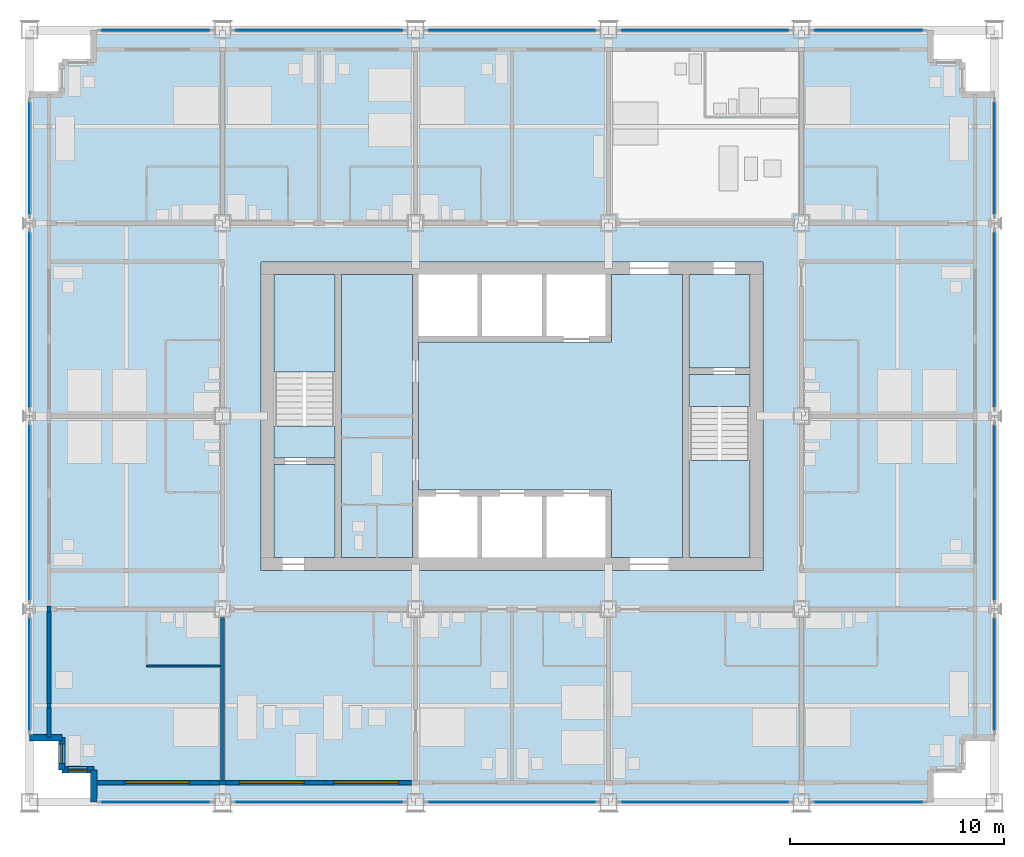
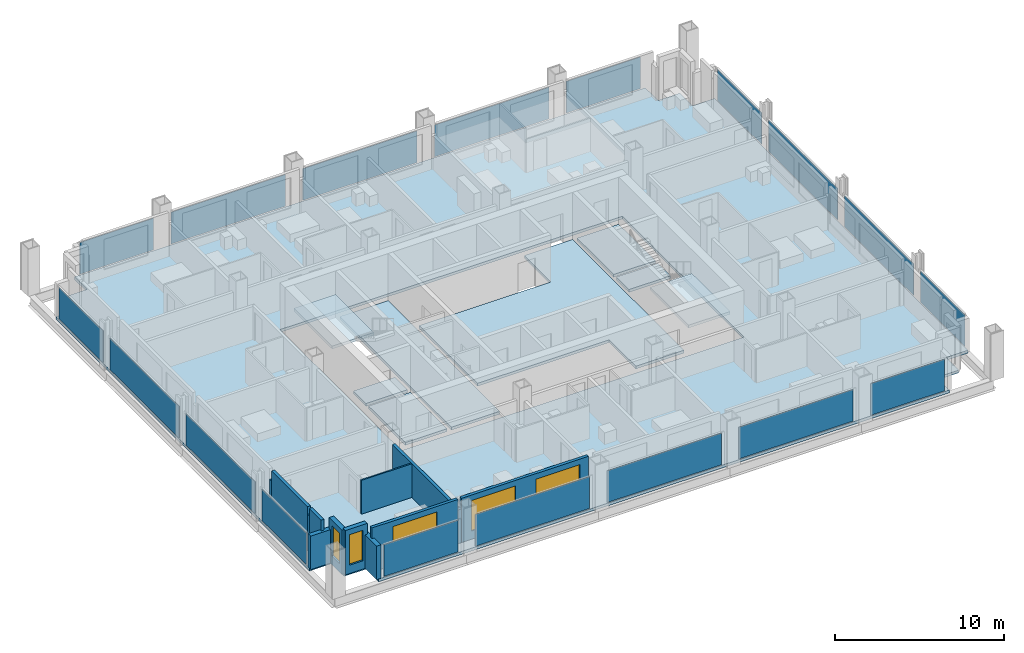
# One storey, part 8 of 16: 18 plates, 13 walls, 9 slabs, 5 windows, 5 openings, 20 elements without a shape of their own.
"""IFC4 building model written with IfcOpenShell, lengths in metres."""

from ifc_helpers import new_model, si_unit, direction, frame, frame_2d, origin, origin_2d, place, context, subcontext, project, spatial, polyline, rectangle, outline, extrude, material, layer, layer_set, type_object, element, fill, aggregate, save


model = new_model("IFC4")

# Units and contexts
model_context = context("Model", 3, precision=1e-05, world=origin(), true_north=direction((0.0, 1.0)))
body_context = subcontext(model_context, "Body", "Model", "MODEL_VIEW")
ifc_project = project(units=[si_unit("LENGTHUNIT", "METRE"), si_unit("AREAUNIT", "SQUARE_METRE"), si_unit("VOLUMEUNIT", "CUBIC_METRE"), si_unit("PLANEANGLEUNIT", "RADIAN"), si_unit("MASSUNIT", "GRAM", prefix="KILO")], contexts=[model_context])

# Site, building, storey
site_placement = place(None, origin())
site = spatial("IfcSite", under=ifc_project, at=site_placement, CompositionType="ELEMENT")
building_placement = place(site_placement, origin())
building = spatial("IfcBuilding", under=site, at=building_placement, Name="Loomwork Tower", CompositionType="ELEMENT")
storey_placement = place(building_placement, frame((0.0, 0.0, 135.0)))
storey = spatial("IfcBuildingStorey", under=building, at=storey_placement, Name="L36", CompositionType="ELEMENT", Elevation=135.0)

# Slabs
ifc_material_1 = material(Name="Concrete 5000 psi (34 MPa) on composite metal deck", Category="concrete")
ifc_layer_1 = layer(ifc_material_1, 0.199951171875)
ifc_layer_set_1 = layer_set([ifc_layer_1], Name="Floor slab 200")
slab_type_1 = type_object("IfcSlabType", Name="Floor slab 200", PredefinedType="FLOOR", material=ifc_layer_set_1)
slab_1_placement = place(storey_placement, frame((0.0, 0.0, -0.199951171875)))
element("IfcSlab", 1, at=slab_1_placement, inside=storey, type_object=slab_type_1, Name="Floor slab L36", PredefinedType="FLOOR", context=body_context, shape_type="SweptSolid", body=[
    extrude(outline(polyline([(3.0, 1.5), (1.5, 1.5), (1.5, 3.0), (0.0, 3.0), (0.0, 33.0), (1.5, 33.0), (1.5, 34.5), (3.0, 34.5), (3.0, 36.0), (42.0, 36.0), (42.0, 34.5), (43.5, 34.5), (43.5, 33.0), (45.0, 33.0), (45.0, 3.0), (43.5, 3.0), (43.5, 1.5), (42.0, 1.5), (42.0, 0.0), (3.0, 0.0), (3.0, 1.5)]), holes=[polyline([(10.800048828125, 11.39990234375), (10.800048828125, 11.39990234375), (10.800048828125, 10.800048828125), (34.199951171875, 10.800048828125), (34.199951171875, 11.39990234375), (34.199951171875, 11.39990234375), (34.199951171875, 24.60009765625), (34.199951171875, 25.199951171875), (10.800048828125, 25.199951171875), (10.800048828125, 24.60009765625), (10.800048828125, 11.39990234375)])]), origin(), (0.0, 0.0, 1.0), 0.199951171875),
])
slab_2_placement = place(storey_placement, frame((0.0, 0.0, -0.199951171875)))
element("IfcSlab", 2, at=slab_2_placement, inside=storey, type_object=slab_type_1, Name="Floor slab L36", PredefinedType="FLOOR", context=body_context, shape_type="SweptSolid", body=[
    extrude(outline(polyline([(30.449951171875, 24.60009765625), (30.449951171875, 11.39990234375), (27.14990234375, 11.39990234375), (27.14990234375, 14.25), (27.14990234375, 14.550048828125), (18.14990234375, 14.550048828125), (18.14990234375, 21.449951171875), (27.14990234375, 21.449951171875), (27.14990234375, 21.75), (27.14990234375, 24.60009765625), (30.449951171875, 24.60009765625)])), origin(), (0.0, 0.0, 1.0), 0.199951171875),
])
slab_3_placement = place(storey_placement, frame((0.0, 0.0, -0.199951171875)))
element("IfcSlab", 3, at=slab_3_placement, inside=storey, type_object=slab_type_1, Name="Floor slab L36", PredefinedType="FLOOR", context=body_context, shape_type="SweptSolid", body=[
    extrude(outline(polyline([(14.550048828125, 11.39990234375), (14.550048828125, 24.60009765625), (17.85009765625, 24.60009765625), (17.85009765625, 11.39990234375), (14.550048828125, 11.39990234375)])), origin(), (0.0, 0.0, 1.0), 0.199951171875),
])
slab_4_placement = place(storey_placement, frame((0.0, 0.0, -0.199951171875)))
element("IfcSlab", 4, at=slab_4_placement, inside=storey, type_object=slab_type_1, Name="Floor slab L36", PredefinedType="FLOOR", context=body_context, shape_type="SweptSolid", body=[
    extrude(outline(polyline([(33.60009765625, 20.25), (30.75, 20.25), (30.75, 24.60009765625), (33.60009765625, 24.60009765625), (33.60009765625, 20.25)])), origin(), (0.0, 0.0, 1.0), 0.199951171875),
])
slab_5_placement = place(storey_placement, frame((0.0, 0.0, -0.199951171875)))
element("IfcSlab", 5, at=slab_5_placement, inside=storey, type_object=slab_type_1, Name="Floor slab L36", PredefinedType="FLOOR", context=body_context, shape_type="SweptSolid", body=[
    extrude(outline(polyline([(14.25, 15.75), (14.25, 11.39990234375), (11.39990234375, 11.39990234375), (11.39990234375, 15.75), (14.25, 15.75)])), origin(), (0.0, 0.0, 1.0), 0.199951171875),
])

# Curtain wall, plate
ifc_material_2 = material(Name="Aluminium curtain wall frame", Category="aluminium")
curtain_wall_type = type_object("IfcCurtainWallType", Name="Outer skin glazing hotel", PredefinedType="NOTDEFINED", material=ifc_material_2)
curtain_wall_1_placement = place(storey_placement, origin())
curtain_wall_1 = element("IfcCurtainWall", 6, at=curtain_wall_1_placement, inside=storey, type_object=curtain_wall_type, Name="Outer skin glazing hotel cw/S-0", PredefinedType="NOTDEFINED")
ifc_material_3 = material(Name="Clear laminated glass", Category="glass")
ifc_layer_2 = layer(ifc_material_3, 0.02392578125)
ifc_layer_set_2 = layer_set([ifc_layer_2], Name="Outer skin glazing hotel panel")
plate_type = type_object("IfcPlateType", Name="Outer skin glazing hotel panel", PredefinedType="CURTAIN_PANEL", material=ifc_layer_set_2)
plate_1_placement = place(storey_placement, frame((5.875, 0.0, 0.06494140625), z_axis=(0.0, 0.0, 1.0), x_axis=(1.0, 0.0, 0.0)))
plate_1 = element("IfcPlate", 7, at=plate_1_placement, type_object=plate_type, Name="CW1 panel 1.1", PredefinedType="CURTAIN_PANEL", context=body_context, shape_type="SweptSolid", body=[
    extrude(rectangle(XDim=5.050048828125, YDim=0.02392578125, at=origin_2d()), origin(), (0.0, 0.0, 1.0), 2.290283203125),
])
aggregate(curtain_wall_1, [plate_1])

curtain_wall_2_placement = place(storey_placement, origin())
curtain_wall_2 = element("IfcCurtainWall", 8, at=curtain_wall_2_placement, inside=storey, type_object=curtain_wall_type, Name="Outer skin glazing hotel cw/S-9", PredefinedType="NOTDEFINED")
plate_2_placement = place(storey_placement, frame((13.5, 0.0, 0.06494140625), z_axis=(0.0, 0.0, 1.0), x_axis=(1.0, 0.0, 0.0)))
plate_2 = element("IfcPlate", 9, at=plate_2_placement, type_object=plate_type, Name="CW1 panel 1.1", PredefinedType="CURTAIN_PANEL", context=body_context, shape_type="SweptSolid", body=[
    extrude(rectangle(XDim=7.800048828125, YDim=0.02392578125, at=origin_2d()), origin(), (0.0, 0.0, 1.0), 2.290283203125),
])
aggregate(curtain_wall_2, [plate_2])

curtain_wall_3_placement = place(storey_placement, origin())
curtain_wall_3 = element("IfcCurtainWall", 10, at=curtain_wall_3_placement, inside=storey, type_object=curtain_wall_type, Name="Outer skin glazing hotel cw/S-18", PredefinedType="NOTDEFINED")
plate_3_placement = place(storey_placement, frame((22.5, 0.0, 0.06494140625), z_axis=(0.0, 0.0, 1.0), x_axis=(1.0, 0.0, 0.0)))
plate_3 = element("IfcPlate", 11, at=plate_3_placement, type_object=plate_type, Name="CW1 panel 1.1", PredefinedType="CURTAIN_PANEL", context=body_context, shape_type="SweptSolid", body=[
    extrude(rectangle(XDim=7.800048828125, YDim=0.02392578125, at=origin_2d()), origin(), (0.0, 0.0, 1.0), 2.290283203125),
])
aggregate(curtain_wall_3, [plate_3])

curtain_wall_4_placement = place(storey_placement, origin())
curtain_wall_4 = element("IfcCurtainWall", 12, at=curtain_wall_4_placement, inside=storey, type_object=curtain_wall_type, Name="Outer skin glazing hotel cw/S-27", PredefinedType="NOTDEFINED")
plate_4_placement = place(storey_placement, frame((31.5, 0.0, 0.06494140625), z_axis=(0.0, 0.0, 1.0), x_axis=(1.0, 0.0, 0.0)))
plate_4 = element("IfcPlate", 13, at=plate_4_placement, type_object=plate_type, Name="CW1 panel 1.1", PredefinedType="CURTAIN_PANEL", context=body_context, shape_type="SweptSolid", body=[
    extrude(rectangle(XDim=7.800048828125, YDim=0.02392578125, at=origin_2d()), origin(), (0.0, 0.0, 1.0), 2.290283203125),
])
aggregate(curtain_wall_4, [plate_4])

curtain_wall_5_placement = place(storey_placement, origin())
curtain_wall_5 = element("IfcCurtainWall", 14, at=curtain_wall_5_placement, inside=storey, type_object=curtain_wall_type, Name="Outer skin glazing hotel cw/S-36", PredefinedType="NOTDEFINED")
plate_5_placement = place(storey_placement, frame((39.125, 0.0, 0.06494140625), z_axis=(0.0, 0.0, 1.0), x_axis=(1.0, 0.0, 0.0)))
plate_5 = element("IfcPlate", 15, at=plate_5_placement, type_object=plate_type, Name="CW1 panel 1.1", PredefinedType="CURTAIN_PANEL", context=body_context, shape_type="SweptSolid", body=[
    extrude(rectangle(XDim=5.050048828125, YDim=0.02392578125, at=origin_2d()), origin(), (0.0, 0.0, 1.0), 2.290283203125),
])
aggregate(curtain_wall_5, [plate_5])

curtain_wall_6_placement = place(storey_placement, origin())
curtain_wall_6 = element("IfcCurtainWall", 16, at=curtain_wall_6_placement, inside=storey, type_object=curtain_wall_type, Name="Outer skin glazing hotel cw/N-0", PredefinedType="NOTDEFINED")
plate_6_placement = place(storey_placement, frame((5.875, 36.0, 0.06494140625), z_axis=(0.0, 0.0, 1.0), x_axis=(-1.0, 0.0, 0.0)))
plate_6 = element("IfcPlate", 17, at=plate_6_placement, type_object=plate_type, Name="CW1 panel 1.1", PredefinedType="CURTAIN_PANEL", context=body_context, shape_type="SweptSolid", body=[
    extrude(rectangle(XDim=5.050048828125, YDim=0.02392578125, at=origin_2d()), origin(), (0.0, 0.0, 1.0), 2.290283203125),
])
aggregate(curtain_wall_6, [plate_6])

curtain_wall_7_placement = place(storey_placement, origin())
curtain_wall_7 = element("IfcCurtainWall", 18, at=curtain_wall_7_placement, inside=storey, type_object=curtain_wall_type, Name="Outer skin glazing hotel cw/N-9", PredefinedType="NOTDEFINED")
plate_7_placement = place(storey_placement, frame((13.5, 36.0, 0.06494140625), z_axis=(0.0, 0.0, 1.0), x_axis=(-1.0, 0.0, 0.0)))
plate_7 = element("IfcPlate", 19, at=plate_7_placement, type_object=plate_type, Name="CW1 panel 1.1", PredefinedType="CURTAIN_PANEL", context=body_context, shape_type="SweptSolid", body=[
    extrude(rectangle(XDim=7.800048828125, YDim=0.02392578125, at=origin_2d()), origin(), (0.0, 0.0, 1.0), 2.290283203125),
])
aggregate(curtain_wall_7, [plate_7])

curtain_wall_8_placement = place(storey_placement, origin())
curtain_wall_8 = element("IfcCurtainWall", 20, at=curtain_wall_8_placement, inside=storey, type_object=curtain_wall_type, Name="Outer skin glazing hotel cw/N-18", PredefinedType="NOTDEFINED")
plate_8_placement = place(storey_placement, frame((22.5, 36.0, 0.06494140625), z_axis=(0.0, 0.0, 1.0), x_axis=(-1.0, 0.0, 0.0)))
plate_8 = element("IfcPlate", 21, at=plate_8_placement, type_object=plate_type, Name="CW1 panel 1.1", PredefinedType="CURTAIN_PANEL", context=body_context, shape_type="SweptSolid", body=[
    extrude(rectangle(XDim=7.800048828125, YDim=0.02392578125, at=origin_2d()), origin(), (0.0, 0.0, 1.0), 2.290283203125),
])
aggregate(curtain_wall_8, [plate_8])

curtain_wall_9_placement = place(storey_placement, origin())
curtain_wall_9 = element("IfcCurtainWall", 22, at=curtain_wall_9_placement, inside=storey, type_object=curtain_wall_type, Name="Outer skin glazing hotel cw/N-27", PredefinedType="NOTDEFINED")
plate_9_placement = place(storey_placement, frame((31.5, 36.0, 0.06494140625), z_axis=(0.0, 0.0, 1.0), x_axis=(-1.0, 0.0, 0.0)))
plate_9 = element("IfcPlate", 23, at=plate_9_placement, type_object=plate_type, Name="CW1 panel 1.1", PredefinedType="CURTAIN_PANEL", context=body_context, shape_type="SweptSolid", body=[
    extrude(rectangle(XDim=7.800048828125, YDim=0.02392578125, at=origin_2d()), origin(), (0.0, 0.0, 1.0), 2.290283203125),
])
aggregate(curtain_wall_9, [plate_9])

curtain_wall_10_placement = place(storey_placement, origin())
curtain_wall_10 = element("IfcCurtainWall", 24, at=curtain_wall_10_placement, inside=storey, type_object=curtain_wall_type, Name="Outer skin glazing hotel cw/N-36", PredefinedType="NOTDEFINED")
plate_10_placement = place(storey_placement, frame((39.125, 36.0, 0.06494140625), z_axis=(0.0, 0.0, 1.0), x_axis=(-1.0, 0.0, 0.0)))
plate_10 = element("IfcPlate", 25, at=plate_10_placement, type_object=plate_type, Name="CW1 panel 1.1", PredefinedType="CURTAIN_PANEL", context=body_context, shape_type="SweptSolid", body=[
    extrude(rectangle(XDim=5.050048828125, YDim=0.02392578125, at=origin_2d()), origin(), (0.0, 0.0, 1.0), 2.290283203125),
])
aggregate(curtain_wall_10, [plate_10])

curtain_wall_11_placement = place(storey_placement, origin())
curtain_wall_11 = element("IfcCurtainWall", 26, at=curtain_wall_11_placement, inside=storey, type_object=curtain_wall_type, Name="Outer skin glazing hotel cw/W-0", PredefinedType="NOTDEFINED")
plate_11_placement = place(storey_placement, frame((0.0, 5.964599609375, 0.06494140625), z_axis=(0.0, 0.0, 1.0), x_axis=(0.0, -1.0, 0.0)))
plate_11 = element("IfcPlate", 27, at=plate_11_placement, type_object=plate_type, Name="CW1 panel 1.1", PredefinedType="CURTAIN_PANEL", context=body_context, shape_type="SweptSolid", body=[
    extrude(rectangle(XDim=5.22900390625, YDim=0.02392578125, at=origin_2d()), origin(), (0.0, 0.0, 1.0), 2.290283203125),
])
aggregate(curtain_wall_11, [plate_11])

curtain_wall_12_placement = place(storey_placement, origin())
curtain_wall_12 = element("IfcCurtainWall", 28, at=curtain_wall_12_placement, inside=storey, type_object=curtain_wall_type, Name="Outer skin glazing hotel cw/W-9", PredefinedType="NOTDEFINED")
plate_12_placement = place(storey_placement, frame((0.0, 13.5, 0.06494140625), z_axis=(0.0, 0.0, 1.0), x_axis=(0.0, -1.0, 0.0)))
plate_12 = element("IfcPlate", 29, at=plate_12_placement, type_object=plate_type, Name="CW1 panel 1.1", PredefinedType="CURTAIN_PANEL", context=body_context, shape_type="SweptSolid", body=[
    extrude(rectangle(XDim=8.157958984375, YDim=0.02392578125, at=origin_2d()), origin(), (0.0, 0.0, 1.0), 2.290283203125),
])
aggregate(curtain_wall_12, [plate_12])

curtain_wall_13_placement = place(storey_placement, origin())
curtain_wall_13 = element("IfcCurtainWall", 30, at=curtain_wall_13_placement, inside=storey, type_object=curtain_wall_type, Name="Outer skin glazing hotel cw/W-18", PredefinedType="NOTDEFINED")
plate_13_placement = place(storey_placement, frame((0.0, 22.5, 0.06494140625), z_axis=(0.0, 0.0, 1.0), x_axis=(0.0, -1.0, 0.0)))
plate_13 = element("IfcPlate", 31, at=plate_13_placement, type_object=plate_type, Name="CW1 panel 1.1", PredefinedType="CURTAIN_PANEL", context=body_context, shape_type="SweptSolid", body=[
    extrude(rectangle(XDim=8.157958984375, YDim=0.02392578125, at=origin_2d()), origin(), (0.0, 0.0, 1.0), 2.290283203125),
])
aggregate(curtain_wall_13, [plate_13])

curtain_wall_14_placement = place(storey_placement, origin())
curtain_wall_14 = element("IfcCurtainWall", 32, at=curtain_wall_14_placement, inside=storey, type_object=curtain_wall_type, Name="Outer skin glazing hotel cw/W-27", PredefinedType="NOTDEFINED")
plate_14_placement = place(storey_placement, frame((0.0, 30.035400390625, 0.06494140625), z_axis=(0.0, 0.0, 1.0), x_axis=(0.0, -1.0, 0.0)))
plate_14 = element("IfcPlate", 33, at=plate_14_placement, type_object=plate_type, Name="CW1 panel 1.1", PredefinedType="CURTAIN_PANEL", context=body_context, shape_type="SweptSolid", body=[
    extrude(rectangle(XDim=5.22900390625, YDim=0.02392578125, at=origin_2d()), origin(), (0.0, 0.0, 1.0), 2.290283203125),
])
aggregate(curtain_wall_14, [plate_14])

curtain_wall_15_placement = place(storey_placement, origin())
curtain_wall_15 = element("IfcCurtainWall", 34, at=curtain_wall_15_placement, inside=storey, type_object=curtain_wall_type, Name="Outer skin glazing hotel cw/E-0", PredefinedType="NOTDEFINED")
plate_15_placement = place(storey_placement, frame((45.0, 5.964599609375, 0.06494140625), z_axis=(0.0, 0.0, 1.0), x_axis=(0.0, 1.0, 0.0)))
plate_15 = element("IfcPlate", 35, at=plate_15_placement, type_object=plate_type, Name="CW1 panel 1.1", PredefinedType="CURTAIN_PANEL", context=body_context, shape_type="SweptSolid", body=[
    extrude(rectangle(XDim=5.22900390625, YDim=0.02392578125, at=origin_2d()), origin(), (0.0, 0.0, 1.0), 2.290283203125),
])
aggregate(curtain_wall_15, [plate_15])

curtain_wall_16_placement = place(storey_placement, origin())
curtain_wall_16 = element("IfcCurtainWall", 36, at=curtain_wall_16_placement, inside=storey, type_object=curtain_wall_type, Name="Outer skin glazing hotel cw/E-9", PredefinedType="NOTDEFINED")
plate_16_placement = place(storey_placement, frame((45.0, 13.5, 0.06494140625), z_axis=(0.0, 0.0, 1.0), x_axis=(0.0, 1.0, 0.0)))
plate_16 = element("IfcPlate", 37, at=plate_16_placement, type_object=plate_type, Name="CW1 panel 1.1", PredefinedType="CURTAIN_PANEL", context=body_context, shape_type="SweptSolid", body=[
    extrude(rectangle(XDim=8.157958984375, YDim=0.02392578125, at=origin_2d()), origin(), (0.0, 0.0, 1.0), 2.290283203125),
])
aggregate(curtain_wall_16, [plate_16])

curtain_wall_17_placement = place(storey_placement, origin())
curtain_wall_17 = element("IfcCurtainWall", 38, at=curtain_wall_17_placement, inside=storey, type_object=curtain_wall_type, Name="Outer skin glazing hotel cw/E-18", PredefinedType="NOTDEFINED")
plate_17_placement = place(storey_placement, frame((45.0, 22.5, 0.06494140625), z_axis=(0.0, 0.0, 1.0), x_axis=(0.0, 1.0, 0.0)))
plate_17 = element("IfcPlate", 39, at=plate_17_placement, type_object=plate_type, Name="CW1 panel 1.1", PredefinedType="CURTAIN_PANEL", context=body_context, shape_type="SweptSolid", body=[
    extrude(rectangle(XDim=8.157958984375, YDim=0.02392578125, at=origin_2d()), origin(), (0.0, 0.0, 1.0), 2.290283203125),
])
aggregate(curtain_wall_17, [plate_17])

curtain_wall_18_placement = place(storey_placement, origin())
curtain_wall_18 = element("IfcCurtainWall", 40, at=curtain_wall_18_placement, inside=storey, type_object=curtain_wall_type, Name="Outer skin glazing hotel cw/E-27", PredefinedType="NOTDEFINED")
plate_18_placement = place(storey_placement, frame((45.0, 30.035400390625, 0.06494140625), z_axis=(0.0, 0.0, 1.0), x_axis=(0.0, 1.0, 0.0)))
plate_18 = element("IfcPlate", 41, at=plate_18_placement, type_object=plate_type, Name="CW1 panel 1.1", PredefinedType="CURTAIN_PANEL", context=body_context, shape_type="SweptSolid", body=[
    extrude(rectangle(XDim=5.22900390625, YDim=0.02392578125, at=origin_2d()), origin(), (0.0, 0.0, 1.0), 2.290283203125),
])
aggregate(curtain_wall_18, [plate_18])

# Stair, slabs
ifc_material_4 = material(Name="Concrete 5000 psi (34 MPa) precast stair", Category="concrete")
stair_type_1 = type_object("IfcStairType", Name="Stair ST-A 20 risers 2850 wide", PredefinedType="HALF_TURN_STAIR", material=ifc_material_4)
stair_1_placement = place(storey_placement, origin())
stair_1 = element("IfcStair", 42, at=stair_1_placement, inside=storey, type_object=stair_type_1, Name="Stair A L36", PredefinedType="HALF_TURN_STAIR")
ifc_material_5 = material(Name="Concrete 5000 psi (34 MPa)", Category="concrete")
ifc_layer_3 = layer(ifc_material_5, 0.199951171875)
ifc_layer_set_3 = layer_set([ifc_layer_3], Name="Stair landing 200")
slab_type_2 = type_object("IfcSlabType", Name="Stair landing 200", PredefinedType="LANDING", material=ifc_layer_set_3)
slab_6_placement = place(storey_placement, frame((0.0, 0.0, -0.199951171875)))
slab_6 = element("IfcSlab", 43, at=slab_6_placement, type_object=slab_type_2, Name="ST-A landing 1", PredefinedType="LANDING", context=body_context, shape_type="SweptSolid", body=[
    extrude(outline(polyline([(11.39990234375, 16.050048828125), (14.25, 16.050048828125), (14.25, 17.550048828125), (11.39990234375, 17.550048828125), (11.39990234375, 16.050048828125)])), origin(), (0.0, 0.0, 1.0), 0.199951171875),
])
slab_7_placement = place(storey_placement, frame((0.0, 0.0, 1.5)))
slab_7 = element("IfcSlab", 44, at=slab_7_placement, type_object=slab_type_2, Name="ST-A landing 2", PredefinedType="LANDING", context=body_context, shape_type="SweptSolid", body=[
    extrude(outline(polyline([(11.39990234375, 20.070068359375), (14.25, 20.070068359375), (14.25, 24.60009765625), (11.39990234375, 24.60009765625), (11.39990234375, 20.070068359375)])), origin(), (0.0, 0.0, 1.0), 0.199951171875),
])
aggregate(stair_1, [slab_6, slab_7])

ifc_material_6 = material(Name="Concrete 5000 psi (34 MPa) precast stair", Category="concrete")
stair_type_2 = type_object("IfcStairType", Name="Stair ST-B 20 risers 2850 wide", PredefinedType="HALF_TURN_STAIR", material=ifc_material_6)
stair_2_placement = place(storey_placement, origin())
stair_2 = element("IfcStair", 45, at=stair_2_placement, inside=storey, type_object=stair_type_2, Name="Stair B L36", PredefinedType="HALF_TURN_STAIR")
slab_8_placement = place(storey_placement, frame((0.0, 0.0, -0.199951171875)))
slab_8 = element("IfcSlab", 46, at=slab_8_placement, type_object=slab_type_2, Name="ST-B landing 1", PredefinedType="LANDING", context=body_context, shape_type="SweptSolid", body=[
    extrude(outline(polyline([(30.75, 18.449951171875), (33.60009765625, 18.449951171875), (33.60009765625, 19.949951171875), (30.75, 19.949951171875), (30.75, 18.449951171875)])), origin(), (0.0, 0.0, 1.0), 0.199951171875),
])
slab_9_placement = place(storey_placement, frame((0.0, 0.0, 1.5)))
slab_9 = element("IfcSlab", 47, at=slab_9_placement, type_object=slab_type_2, Name="ST-B landing 2", PredefinedType="LANDING", context=body_context, shape_type="SweptSolid", body=[
    extrude(outline(polyline([(30.75, 11.39990234375), (33.60009765625, 11.39990234375), (33.60009765625, 15.929931640625), (30.75, 15.929931640625), (30.75, 11.39990234375)])), origin(), (0.0, 0.0, 1.0), 0.199951171875),
])
aggregate(stair_2, [slab_8, slab_9])

# Walls
ifc_material_7 = material(Name="Cement board on steel studs", Category="steel")
ifc_layer_4 = layer(ifc_material_7, 0.10009765625)
ifc_layer_set_4 = layer_set([ifc_layer_4], Name="En-suite partition 100")
wall_type_1 = type_object("IfcWallType", Name="En-suite partition 100", PredefinedType="PARTITIONING", material=ifc_layer_set_4)
wall_1_placement = place(storey_placement, frame((5.449951171875, 6.35009765625, 0.0), z_axis=(0.0, 0.0, 1.0), x_axis=(1.0, 0.0, 0.0)))
element("IfcWall", 48, at=wall_1_placement, inside=storey, type_object=wall_type_1, Name="En-suite wall L36 room 1", PredefinedType="PARTITIONING", context=body_context, shape_type="SweptSolid", body=[
    extrude(rectangle(XDim=3.449951171875, YDim=0.10009765625, at=frame_2d((1.72509765625, 0.0))), origin(), (0.0, 0.0, 1.0), 2.43798828125),
])
ifc_material_8 = material(Name="Gypsum board on steel studs, acoustic", Category="steel")
ifc_layer_5 = layer(ifc_material_8, 0.199951171875)
ifc_layer_set_5 = layer_set([ifc_layer_5], Name="Guest room party wall 200")
wall_type_2 = type_object("IfcWallType", Name="Guest room party wall 200", PredefinedType="PARTITIONING", material=ifc_layer_set_5)
wall_2_placement = place(storey_placement, frame((9.0, 8.60009765625, 0.0), z_axis=(0.0, 0.0, 1.0), x_axis=(0.0, -1.0, 0.0)))
element("IfcWall", 49, at=wall_2_placement, inside=storey, type_object=wall_type_2, Name="Guest room party wall S 9", PredefinedType="PARTITIONING", context=body_context, shape_type="SweptSolid", body=[
    extrude(rectangle(XDim=7.60009765625, YDim=0.199951171875, at=frame_2d((3.800048828125, 0.0))), origin(), (0.0, 0.0, 1.0), 2.43798828125),
])

# Wall, opening, window
ifc_material_9 = material(Name="Insulated steel stud wall with gypsum lining", Category="steel")
ifc_layer_6 = layer(ifc_material_9, 0.199951171875)
ifc_layer_set_6 = layer_set([ifc_layer_6], Name="Inner skin wall 200")
wall_type_3 = type_object("IfcWallType", Name="Inner skin wall 200", PredefinedType="SOLIDWALL", material=ifc_layer_set_6)
wall_3_placement = place(storey_placement, frame((3.0, 0.89990234375, 0.0), z_axis=(0.0, 0.0, 1.0), x_axis=(1.0, 0.0, 0.0)))
wall_3 = element("IfcWall", 50, at=wall_3_placement, inside=storey, type_object=wall_type_3, Name="Inner skin wall S", PredefinedType="SOLIDWALL", context=body_context, shape_type="SweptSolid", body=[
    extrude(rectangle(XDim=5.86474609375, YDim=0.199951171875, at=frame_2d((2.932373046875, 0.0))), origin(), (0.0, 0.0, 1.0), 3.199951171875),
])
opening_1_placement = place(wall_3_placement, frame((1.449951171875, 0.0, 0.60009765625)))
opening_1 = element("IfcOpeningElement", 51, at=opening_1_placement, cuts=wall_3, Name="Opening CH1", PredefinedType="OPENING", context=body_context, shape_type="SweptSolid", body=[
    extrude(rectangle(XDim=3.0, YDim=2.199951171875, at=frame_2d((1.5, 1.10009765625))), frame((0.0, 0.10986328125, 0.0), z_axis=(0.0, -1.0, 0.0), x_axis=(1.0, 0.0, 0.0)), (0.0, 0.0, 1.0), 0.219970703125),
])
ifc_material_10 = material(Name="Aluminium frame with clear insulated glass", Category="aluminium")
window_type_1 = type_object("IfcWindowType", Name="Chicago window 3000", PartitioningType="TRIPLE_PANEL_VERTICAL", PredefinedType="WINDOW", material=ifc_material_10)
window_1_placement = place(opening_1_placement, origin())
window_1 = element("IfcWindow", 52, at=window_1_placement, inside=storey, type_object=window_type_1, Name="Chicago window L36 bay 1", OverallHeight=2.199951171875, OverallWidth=3.0, PartitioningType="TRIPLE_PANEL_VERTICAL", PredefinedType="WINDOW", context=body_context, shape_type="SweptSolid", body=[
    extrude(rectangle(XDim=3.0, YDim=2.199951171875, at=frame_2d((1.5, 1.10009765625))), frame((0.0, 0.030029296875, 0.0), z_axis=(0.0, -1.0, 0.0), x_axis=(1.0, 0.0, 0.0)), (0.0, 0.0, 1.0), 0.06005859375),
])
fill(opening_1, window_1)

# Walls
wall_4_placement = place(storey_placement, frame((0.89990234375, 3.0, 0.0), z_axis=(0.0, 0.0, 1.0), x_axis=(0.0, 1.0, 0.0)))
element("IfcWall", 53, at=wall_4_placement, inside=storey, type_object=wall_type_3, Name="Inner skin wall W", PredefinedType="SOLIDWALL", context=body_context, shape_type="SweptSolid", body=[
    extrude(rectangle(XDim=1.392578125, YDim=0.199951171875, at=frame_2d((0.6962890625, 0.0))), origin(), (0.0, 0.0, 1.0), 3.199951171875),
])
wall_5_placement = place(storey_placement, frame((8.86474609375, 0.89990234375, 0.0), z_axis=(0.0, 0.0, 1.0), x_axis=(1.0, 0.0, 0.0)))
element("IfcWall", 54, at=wall_5_placement, inside=storey, type_object=wall_type_3, Name="Inner skin wall S bay 2", PredefinedType="SOLIDWALL", context=body_context, shape_type="SweptSolid", body=[
    extrude(rectangle(XDim=0.2705078125, YDim=0.199951171875, at=frame_2d((0.13525390625, 0.0))), origin(), (0.0, 0.0, 1.0), 2.43798828125),
])

# Wall, openings, windows
wall_6_placement = place(storey_placement, frame((9.13525390625, 0.89990234375, 0.0), z_axis=(0.0, 0.0, 1.0), x_axis=(1.0, 0.0, 0.0)))
wall_6 = element("IfcWall", 55, at=wall_6_placement, inside=storey, type_object=wall_type_3, Name="Inner skin wall S bay 3", PredefinedType="SOLIDWALL", context=body_context, shape_type="SweptSolid", body=[
    extrude(rectangle(XDim=8.6708984375, YDim=0.199951171875, at=frame_2d((4.33544921875, 0.0))), origin(), (0.0, 0.0, 1.0), 3.199951171875),
])
opening_2_placement = place(wall_6_placement, frame((0.664794921875, 0.0, 0.60009765625)))
opening_2 = element("IfcOpeningElement", 56, at=opening_2_placement, cuts=wall_6, Name="Opening CH1", PredefinedType="OPENING", context=body_context, shape_type="SweptSolid", body=[
    extrude(rectangle(XDim=3.0, YDim=2.199951171875, at=frame_2d((1.5, 1.10009765625))), frame((0.0, 0.10986328125, 0.0), z_axis=(0.0, -1.0, 0.0), x_axis=(1.0, 0.0, 0.0)), (0.0, 0.0, 1.0), 0.219970703125),
])
opening_3_placement = place(wall_6_placement, frame((5.064697265625, 0.0, 0.60009765625)))
opening_3 = element("IfcOpeningElement", 57, at=opening_3_placement, cuts=wall_6, Name="Opening CH1", PredefinedType="OPENING", context=body_context, shape_type="SweptSolid", body=[
    extrude(rectangle(XDim=3.0, YDim=2.199951171875, at=frame_2d((1.5, 1.10009765625))), frame((0.0, 0.10986328125, 0.0), z_axis=(0.0, -1.0, 0.0), x_axis=(1.0, 0.0, 0.0)), (0.0, 0.0, 1.0), 0.219970703125),
])
window_2_placement = place(opening_2_placement, origin())
window_2 = element("IfcWindow", 58, at=window_2_placement, inside=storey, type_object=window_type_1, Name="Chicago window L36 bay 2", OverallHeight=2.199951171875, OverallWidth=3.0, PartitioningType="TRIPLE_PANEL_VERTICAL", PredefinedType="WINDOW", context=body_context, shape_type="SweptSolid", body=[
    extrude(rectangle(XDim=3.0, YDim=2.199951171875, at=frame_2d((1.5, 1.10009765625))), frame((0.0, 0.030029296875, 0.0), z_axis=(0.0, -1.0, 0.0), x_axis=(1.0, 0.0, 0.0)), (0.0, 0.0, 1.0), 0.06005859375),
])
fill(opening_2, window_2)
window_3_placement = place(opening_3_placement, origin())
window_3 = element("IfcWindow", 59, at=window_3_placement, inside=storey, type_object=window_type_1, Name="Chicago window L36 bay 2", OverallHeight=2.199951171875, OverallWidth=3.0, PartitioningType="TRIPLE_PANEL_VERTICAL", PredefinedType="WINDOW", context=body_context, shape_type="SweptSolid", body=[
    extrude(rectangle(XDim=3.0, YDim=2.199951171875, at=frame_2d((1.5, 1.10009765625))), frame((0.0, 0.030029296875, 0.0), z_axis=(0.0, -1.0, 0.0), x_axis=(1.0, 0.0, 0.0)), (0.0, 0.0, 1.0), 0.06005859375),
])
fill(opening_3, window_3)

# Walls
wall_7_placement = place(storey_placement, frame((0.89990234375, 4.392578125, 0.0), z_axis=(0.0, 0.0, 1.0), x_axis=(0.0, 1.0, 0.0)))
element("IfcWall", 60, at=wall_7_placement, inside=storey, type_object=wall_type_3, Name="Inner skin wall W bay 2", PredefinedType="SOLIDWALL", context=body_context, shape_type="SweptSolid", body=[
    extrude(rectangle(XDim=0.21484375, YDim=0.199951171875, at=frame_2d((0.107421875, 0.0))), origin(), (0.0, 0.0, 1.0), 2.660888671875),
])
wall_8_placement = place(storey_placement, frame((0.89990234375, 4.607421875, 0.0), z_axis=(0.0, 0.0, 1.0), x_axis=(0.0, 1.0, 0.0)))
element("IfcWall", 61, at=wall_8_placement, inside=storey, type_object=wall_type_3, Name="Inner skin wall W bay 3", PredefinedType="SOLIDWALL", context=body_context, shape_type="SweptSolid", body=[
    extrude(rectangle(XDim=4.25732421875, YDim=0.199951171875, at=frame_2d((2.128662109375, 0.0))), origin(), (0.0, 0.0, 1.0), 3.199951171875),
])
wall_9_placement = place(storey_placement, frame((0.89990234375, 8.86474609375, 0.0), z_axis=(0.0, 0.0, 1.0), x_axis=(0.0, 1.0, 0.0)))
element("IfcWall", 62, at=wall_9_placement, inside=storey, type_object=wall_type_3, Name="Inner skin wall W bay 4", PredefinedType="SOLIDWALL", context=body_context, shape_type="SweptSolid", body=[
    extrude(rectangle(XDim=0.2705078125, YDim=0.199951171875, at=frame_2d((0.13525390625, 0.0))), origin(), (0.0, 0.0, 1.0), 2.43798828125),
])
ifc_material_11 = material(Name="Limestone on concrete masonry", Category="masonry")
ifc_layer_7 = layer(ifc_material_11, 0.300048828125)
ifc_layer_set_7 = layer_set([ifc_layer_7], Name="Limestone corner wall 300")
wall_type_4 = type_object("IfcWallType", Name="Limestone corner wall 300", PredefinedType="SOLIDWALL", material=ifc_layer_set_7)
wall_10_placement = place(storey_placement, frame((0.0, 3.0, 0.0), z_axis=(0.0, 0.0, 1.0), x_axis=(1.0, 0.0, 0.0)))
element("IfcWall", 63, at=wall_10_placement, inside=storey, type_object=wall_type_4, Name="Stone corner wall SW 1", PredefinedType="SOLIDWALL", context=body_context, shape_type="SweptSolid", body=[
    extrude(rectangle(XDim=1.5, YDim=0.300048828125, at=frame_2d((0.75, 0.0))), origin(), (0.0, 0.0, 1.0), 2.419921875),
])

# Wall, opening, window
wall_11_placement = place(storey_placement, frame((1.5, 3.0, 0.0), z_axis=(0.0, 0.0, 1.0), x_axis=(0.0, -1.0, 0.0)))
wall_11 = element("IfcWall", 64, at=wall_11_placement, inside=storey, type_object=wall_type_4, Name="Stone corner wall SW 2", PredefinedType="SOLIDWALL", context=body_context, shape_type="SweptSolid", body=[
    extrude(rectangle(XDim=1.5, YDim=0.300048828125, at=frame_2d((0.75, 0.0))), origin(), (0.0, 0.0, 1.0), 3.199951171875),
])
opening_4_placement = place(wall_11_placement, frame((0.300048828125, 0.0, 0.60009765625)))
opening_4 = element("IfcOpeningElement", 65, at=opening_4_placement, cuts=wall_11, Name="Opening CH2", PredefinedType="OPENING", context=body_context, shape_type="SweptSolid", body=[
    extrude(rectangle(XDim=0.89990234375, YDim=2.199951171875, at=frame_2d((0.449951171875, 1.10009765625))), frame((0.0, 0.159912109375, 0.0), z_axis=(0.0, -1.0, 0.0), x_axis=(1.0, 0.0, 0.0)), (0.0, 0.0, 1.0), 0.320068359375),
])
ifc_material_12 = material(Name="Aluminium frame with clear insulated glass", Category="aluminium")
window_type_2 = type_object("IfcWindowType", Name="Corner window 900", PartitioningType="SINGLE_PANEL", PredefinedType="WINDOW", material=ifc_material_12)
window_4_placement = place(opening_4_placement, origin())
window_4 = element("IfcWindow", 66, at=window_4_placement, inside=storey, type_object=window_type_2, Name="Corner window SW", OverallHeight=2.199951171875, OverallWidth=0.89990234375, PartitioningType="SINGLE_PANEL", PredefinedType="WINDOW", context=body_context, shape_type="SweptSolid", body=[
    extrude(rectangle(XDim=0.89990234375, YDim=2.199951171875, at=frame_2d((0.449951171875, 1.10009765625))), frame((0.0, 0.030029296875, 0.0), z_axis=(0.0, -1.0, 0.0), x_axis=(1.0, 0.0, 0.0)), (0.0, 0.0, 1.0), 0.06005859375),
])
fill(opening_4, window_4)

wall_12_placement = place(storey_placement, frame((1.5, 1.5, 0.0), z_axis=(0.0, 0.0, 1.0), x_axis=(1.0, 0.0, 0.0)))
wall_12 = element("IfcWall", 67, at=wall_12_placement, inside=storey, type_object=wall_type_4, Name="Stone corner wall SW 3", PredefinedType="SOLIDWALL", context=body_context, shape_type="SweptSolid", body=[
    extrude(rectangle(XDim=1.5, YDim=0.300048828125, at=frame_2d((0.75, 0.0))), origin(), (0.0, 0.0, 1.0), 3.199951171875),
])
opening_5_placement = place(wall_12_placement, frame((0.300048828125, 0.0, 0.60009765625)))
opening_5 = element("IfcOpeningElement", 68, at=opening_5_placement, cuts=wall_12, Name="Opening CH2", PredefinedType="OPENING", context=body_context, shape_type="SweptSolid", body=[
    extrude(rectangle(XDim=0.89990234375, YDim=2.199951171875, at=frame_2d((0.449951171875, 1.10009765625))), frame((0.0, 0.159912109375, 0.0), z_axis=(0.0, -1.0, 0.0), x_axis=(1.0, 0.0, 0.0)), (0.0, 0.0, 1.0), 0.320068359375),
])
window_5_placement = place(opening_5_placement, origin())
window_5 = element("IfcWindow", 69, at=window_5_placement, inside=storey, type_object=window_type_2, Name="Corner window SW", OverallHeight=2.199951171875, OverallWidth=0.89990234375, PartitioningType="SINGLE_PANEL", PredefinedType="WINDOW", context=body_context, shape_type="SweptSolid", body=[
    extrude(rectangle(XDim=0.89990234375, YDim=2.199951171875, at=frame_2d((0.449951171875, 1.10009765625))), frame((0.0, 0.030029296875, 0.0), z_axis=(0.0, -1.0, 0.0), x_axis=(1.0, 0.0, 0.0)), (0.0, 0.0, 1.0), 0.06005859375),
])
fill(opening_5, window_5)

# Wall
wall_13_placement = place(storey_placement, frame((3.0, 1.5, 0.0), z_axis=(0.0, 0.0, 1.0), x_axis=(0.0, -1.0, 0.0)))
element("IfcWall", 70, at=wall_13_placement, inside=storey, type_object=wall_type_4, Name="Stone corner wall SW 4", PredefinedType="SOLIDWALL", context=body_context, shape_type="SweptSolid", body=[
    extrude(rectangle(XDim=1.5, YDim=0.300048828125, at=frame_2d((0.75, 0.0))), origin(), (0.0, 0.0, 1.0), 2.419921875),
])

save(model, "model.ifc")
